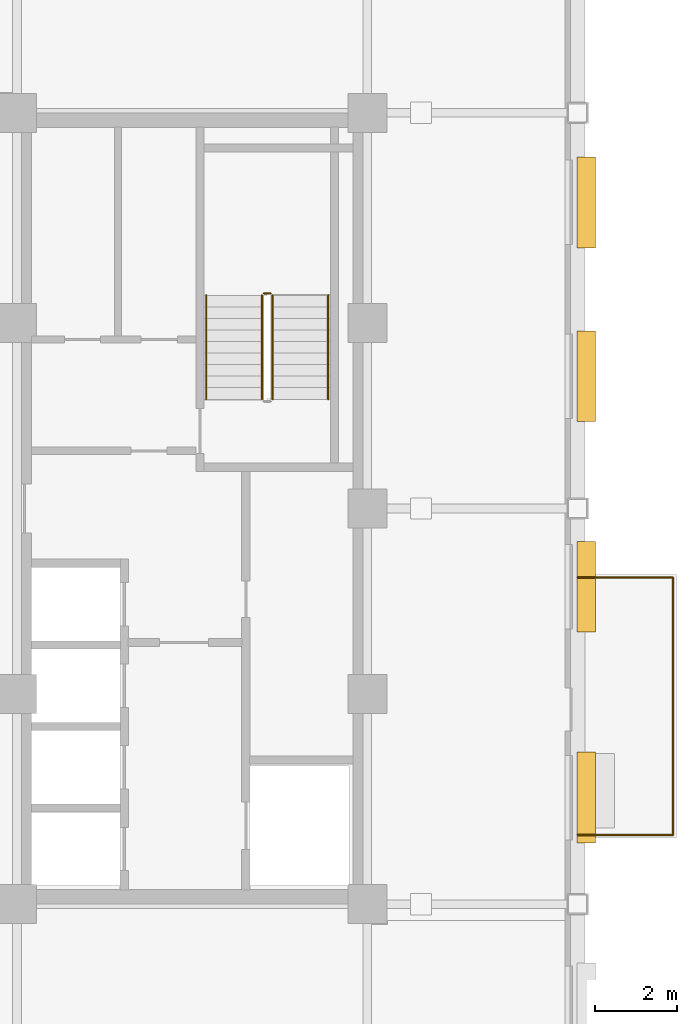
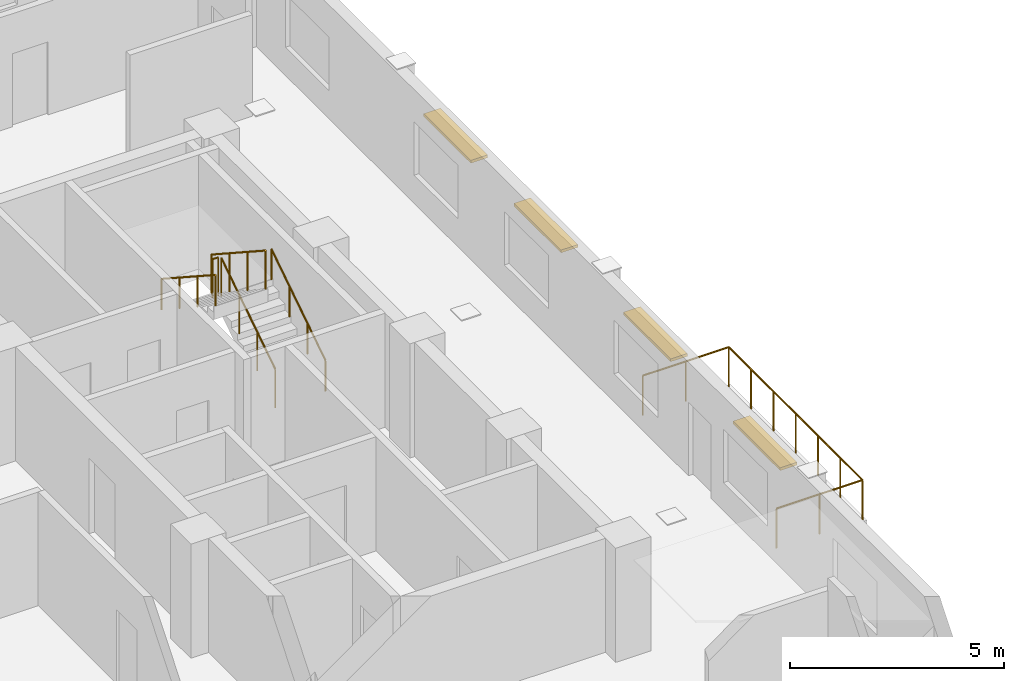
# One storey, part 14 of 15: 6 railings, 4 shading devices.
"""IFC4 building model written with IfcOpenShell, lengths in metres."""

from ifc_helpers import new_model, si_unit, direction, frame, origin, origin_2d, place, context, subcontext, project, spatial, rectangle, circle, extrude, source, transform, mapped, material, type_object, type_shapes, element, save


model = new_model("IFC4")

# Units and contexts
model_context = context("Model", 3, precision=1e-05, world=origin(), true_north=direction((0.0, 1.0)))
body_context = subcontext(model_context, "Body", "Model", "MODEL_VIEW")
ifc_project = project(units=[si_unit("LENGTHUNIT", "METRE"), si_unit("AREAUNIT", "SQUARE_METRE"), si_unit("VOLUMEUNIT", "CUBIC_METRE"), si_unit("PLANEANGLEUNIT", "RADIAN"), si_unit("MASSUNIT", "GRAM", prefix="KILO")], contexts=[model_context])

# Site, building, storey
site_placement = place(None, origin())
site = spatial("IfcSite", under=ifc_project, at=site_placement, CompositionType="ELEMENT")
building_placement = place(site_placement, origin())
building = spatial("IfcBuilding", under=site, at=building_placement, Name="Nuvemarco Arch Tower", CompositionType="ELEMENT")
storey_placement = place(building_placement, frame((0.0, 0.0, 205.5)))
storey = spatial("IfcBuildingStorey", under=building, at=storey_placement, Name="L54", CompositionType="ELEMENT", Elevation=205.5)

# Railings
ifc_material_1 = material(Name="Brushed stainless steel handrail", Category="steel")
railing_type_1 = type_object("IfcRailingType", Name="RL-HANDRAIL-900", PredefinedType="HANDRAIL", material=ifc_material_1)
railing_1_placement = place(storey_placement, frame((16.550048828125, 2.64990234375, 0.1826171875)))
element("IfcRailing", 1, at=railing_1_placement, inside=storey, type_object=railing_type_1, Name="L54 ST-2 stair handrail 1", PredefinedType="HANDRAIL", context=body_context, shape_type="SweptSolid", body=[
    extrude(circle(Radius=0.02392578125, at=origin_2d()), frame((0.0, 0.0, 0.8759765625), z_axis=(0.0, 0.837786554691, 0.545997883492), x_axis=(-1.0, 0.0, 0.0)), (0.0, 0.0, 1.0), 3.008056640625),
    extrude(circle(Radius=0.02099609375, at=origin_2d()), origin(), (0.0, 0.0, 1.0), 0.851806640625),
    extrude(circle(Radius=0.02099609375, at=origin_2d()), frame((0.0, 0.840087890625, 0.54736328125)), (0.0, 0.0, 1.0), 0.851806640625),
    extrude(circle(Radius=0.02099609375, at=origin_2d()), frame((0.0, 1.679931640625, 1.094970703125)), (0.0, 0.0, 1.0), 0.851806640625),
    extrude(circle(Radius=0.02099609375, at=origin_2d()), frame((0.0, 2.52001953125, 1.642333984375)), (0.0, 0.0, 1.0), 0.851806640625),
])
railing_2_placement = place(storey_placement, frame((13.590087890625, 5.169921875, 2.007568359375)))
element("IfcRailing", 2, at=railing_2_placement, inside=storey, type_object=railing_type_1, Name="L54 ST-2 stair handrail 2", PredefinedType="HANDRAIL", context=body_context, shape_type="SweptSolid", body=[
    extrude(circle(Radius=0.02392578125, at=origin_2d()), frame((0.0, 0.0, 0.8759765625), z_axis=(0.0, -0.837786554691, 0.545997883492), x_axis=(1.0, 0.0, 0.0)), (0.0, 0.0, 1.0), 3.008056640625),
    extrude(circle(Radius=0.02099609375, at=origin_2d()), origin(), (0.0, 0.0, 1.0), 0.851806640625),
    extrude(circle(Radius=0.02099609375, at=origin_2d()), frame((0.0, -0.840087890625, 0.54736328125)), (0.0, 0.0, 1.0), 0.851806640625),
    extrude(circle(Radius=0.02099609375, at=origin_2d()), frame((0.0, -1.679931640625, 1.094970703125)), (0.0, 0.0, 1.0), 0.851806640625),
    extrude(circle(Radius=0.02099609375, at=origin_2d()), frame((0.0, -2.52001953125, 1.642333984375)), (0.0, 0.0, 1.0), 0.851806640625),
])
ifc_material_2 = material(Name="Painted balustrade steel S355", Category="steel")
railing_type_2 = type_object("IfcRailingType", Name="RL-STAIR-GUARD", PredefinedType="GUARDRAIL", material=ifc_material_2)
railing_3_placement = place(storey_placement, frame((15.199951171875, 2.64990234375, 0.1826171875)))
element("IfcRailing", 3, at=railing_3_placement, inside=storey, type_object=railing_type_2, Name="L54 ST-2 stair guard 1", PredefinedType="GUARDRAIL", context=body_context, shape_type="SweptSolid", body=[
    extrude(circle(Radius=0.02392578125, at=origin_2d()), frame((0.0, 0.0, 1.09619140625), z_axis=(0.0, 0.837786554691, 0.545997883492), x_axis=(-1.0, 0.0, 0.0)), (0.0, 0.0, 1.0), 3.008056640625),
    extrude(circle(Radius=0.02099609375, at=origin_2d()), origin(), (0.0, 0.0, 1.0), 1.072021484375),
    extrude(circle(Radius=0.02099609375, at=origin_2d()), frame((0.0, 0.840087890625, 0.54736328125)), (0.0, 0.0, 1.0), 1.072021484375),
    extrude(circle(Radius=0.02099609375, at=origin_2d()), frame((0.0, 1.679931640625, 1.094970703125)), (0.0, 0.0, 1.0), 1.072021484375),
    extrude(circle(Radius=0.02099609375, at=origin_2d()), frame((0.0, 2.52001953125, 1.642333984375)), (0.0, 0.0, 1.0), 1.072021484375),
])
railing_4_placement = place(storey_placement, frame((15.14990234375, 5.219970703125, 1.824951171875)))
element("IfcRailing", 4, at=railing_4_placement, inside=storey, type_object=railing_type_2, Name="L54 ST-2 stair guard 2", PredefinedType="GUARDRAIL", context=body_context, shape_type="SweptSolid", body=[
    extrude(circle(Radius=0.02392578125, at=origin_2d()), frame((0.0, 0.0, 1.09619140625), z_axis=(-1.0, 0.0, 0.0), x_axis=(0.0, -1.0, 0.0)), (0.0, 0.0, 1.0), 0.159912109375),
    extrude(circle(Radius=0.02099609375, at=origin_2d()), origin(), (0.0, 0.0, 1.0), 1.072021484375),
    extrude(circle(Radius=0.02099609375, at=origin_2d()), frame((-0.159912109375, 0.0, 0.0)), (0.0, 0.0, 1.0), 1.072021484375),
])
railing_5_placement = place(storey_placement, frame((14.93994140625, 5.169921875, 2.007568359375)))
element("IfcRailing", 5, at=railing_5_placement, inside=storey, type_object=railing_type_2, Name="L54 ST-2 stair guard 3", PredefinedType="GUARDRAIL", context=body_context, shape_type="SweptSolid", body=[
    extrude(circle(Radius=0.02392578125, at=origin_2d()), frame((0.0, 0.0, 1.09619140625), z_axis=(0.0, -0.837786554691, 0.545997883492), x_axis=(1.0, 0.0, 0.0)), (0.0, 0.0, 1.0), 3.008056640625),
    extrude(circle(Radius=0.02099609375, at=origin_2d()), origin(), (0.0, 0.0, 1.0), 1.072021484375),
    extrude(circle(Radius=0.02099609375, at=origin_2d()), frame((0.0, -0.840087890625, 0.54736328125)), (0.0, 0.0, 1.0), 1.072021484375),
    extrude(circle(Radius=0.02099609375, at=origin_2d()), frame((0.0, -1.679931640625, 1.094970703125)), (0.0, 0.0, 1.0), 1.072021484375),
    extrude(circle(Radius=0.02099609375, at=origin_2d()), frame((0.0, -2.52001953125, 1.642333984375)), (0.0, 0.0, 1.0), 1.072021484375),
])
ifc_material_3 = material(Name="Dark anodised balustrade steel S355", Category="steel")
railing_type_3 = type_object("IfcRailingType", Name="RL-TERR-GUARD", PredefinedType="BALUSTRADE", material=ifc_material_3)
railing_6_placement = place(storey_placement, frame((22.60009765625, -7.919921875, 0.0)))
element("IfcRailing", 6, at=railing_6_placement, inside=storey, type_object=railing_type_3, Name="L54 spiral terrace perimeter balustrade guard", PredefinedType="BALUSTRADE", context=body_context, shape_type="SweptSolid", body=[
    extrude(circle(Radius=0.02392578125, at=origin_2d()), frame((0.0, 0.0, 1.1259765625), z_axis=(1.0, 0.0, 0.0), x_axis=(0.0, 1.0, 0.0)), (0.0, 0.0, 1.0), 2.31982421875),
    extrude(circle(Radius=0.02392578125, at=origin_2d()), frame((2.31982421875, 0.0, 1.1259765625), z_axis=(0.0, 1.0, 0.0), x_axis=(-1.0, 0.0, 0.0)), (0.0, 0.0, 1.0), 6.239990234375),
    extrude(circle(Radius=0.02392578125, at=origin_2d()), frame((2.31982421875, 6.239990234375, 1.1259765625), z_axis=(-1.0, 0.0, 0.0), x_axis=(0.0, -1.0, 0.0)), (0.0, 0.0, 1.0), 2.31982421875),
    extrude(circle(Radius=0.02099609375, at=origin_2d()), origin(), (0.0, 0.0, 1.0), 1.101806640625),
    extrude(circle(Radius=0.02099609375, at=origin_2d()), frame((1.159912109375, 0.0, 0.0)), (0.0, 0.0, 1.0), 1.101806640625),
    extrude(circle(Radius=0.02099609375, at=origin_2d()), frame((2.31982421875, 0.0, 0.0)), (0.0, 0.0, 1.0), 1.101806640625),
    extrude(circle(Radius=0.02099609375, at=origin_2d()), frame((2.31982421875, 1.0400390625, 0.0)), (0.0, 0.0, 1.0), 1.101806640625),
    extrude(circle(Radius=0.02099609375, at=origin_2d()), frame((2.31982421875, 2.080078125, 0.0)), (0.0, 0.0, 1.0), 1.101806640625),
    extrude(circle(Radius=0.02099609375, at=origin_2d()), frame((2.31982421875, 3.1201171875, 0.0)), (0.0, 0.0, 1.0), 1.101806640625),
    extrude(circle(Radius=0.02099609375, at=origin_2d()), frame((2.31982421875, 4.159912109375, 0.0)), (0.0, 0.0, 1.0), 1.101806640625),
    extrude(circle(Radius=0.02099609375, at=origin_2d()), frame((2.31982421875, 5.199951171875, 0.0)), (0.0, 0.0, 1.0), 1.101806640625),
    extrude(circle(Radius=0.02099609375, at=origin_2d()), frame((2.31982421875, 6.239990234375, 0.0)), (0.0, 0.0, 1.0), 1.101806640625),
    extrude(circle(Radius=0.02099609375, at=origin_2d()), frame((1.159912109375, 6.239990234375, 0.0)), (0.0, 0.0, 1.0), 1.101806640625),
    extrude(circle(Radius=0.02099609375, at=origin_2d()), frame((0.0, 6.239990234375, 0.0)), (0.0, 0.0, 1.0), 1.101806640625),
])

# Shading devices
ifc_material_4 = material(Name="Anodised aluminium 6063-T6", Category="aluminium")
shading_device_type = type_object("IfcShadingDeviceType", Name="SHD-BRISE-SOLEIL", PredefinedType="USERDEFINED", material=ifc_material_4)
shared_shape = source(origin(), body_context, "Body", "SweptSolid", [
    extrude(rectangle(XDim=2.199951171875, YDim=0.449951171875, at=origin_2d()), origin(), (0.0, 0.0, 1.0), 0.080078125),
])
type_shapes(shading_device_type, [shared_shape])
for number, where, z_axis, x_axis, name in (
    (7, (22.81494140625, -7.0126953125, 2.324951171875), (0.0, 0.0, 1.0), (0.0, 1.0, 0.0), "L54 horizontal brise-soleil sunshade"),
    (8, (22.81494140625, -1.89990234375, 2.324951171875), (0.0, 0.0, 1.0), (0.0, 1.0, 0.0), "L54 horizontal brise-soleil sunshade"),
    (9, (22.81494140625, 3.212646484375, 2.324951171875), (0.0, 0.0, 1.0), (0.0, 1.0, 0.0), "L54 horizontal brise-soleil sunshade"),
    (10, (22.81494140625, 7.425048828125, 2.324951171875), (0.0, 0.0, 1.0), (0.0, 1.0, 0.0), "L54 horizontal brise-soleil sunshade"),
):
    element("IfcShadingDevice", number, at=place(storey_placement, frame(where, z_axis=z_axis, x_axis=x_axis)), inside=storey, type_object=shading_device_type, Name=name, ObjectType="SUNSHADE", PredefinedType="USERDEFINED", context=body_context, shape_type="MappedRepresentation", body=[
        mapped(shared_shape, transform((0.0, 0.0, 0.0), scale=1.0)),
    ])

save(model, "model.ifc")
